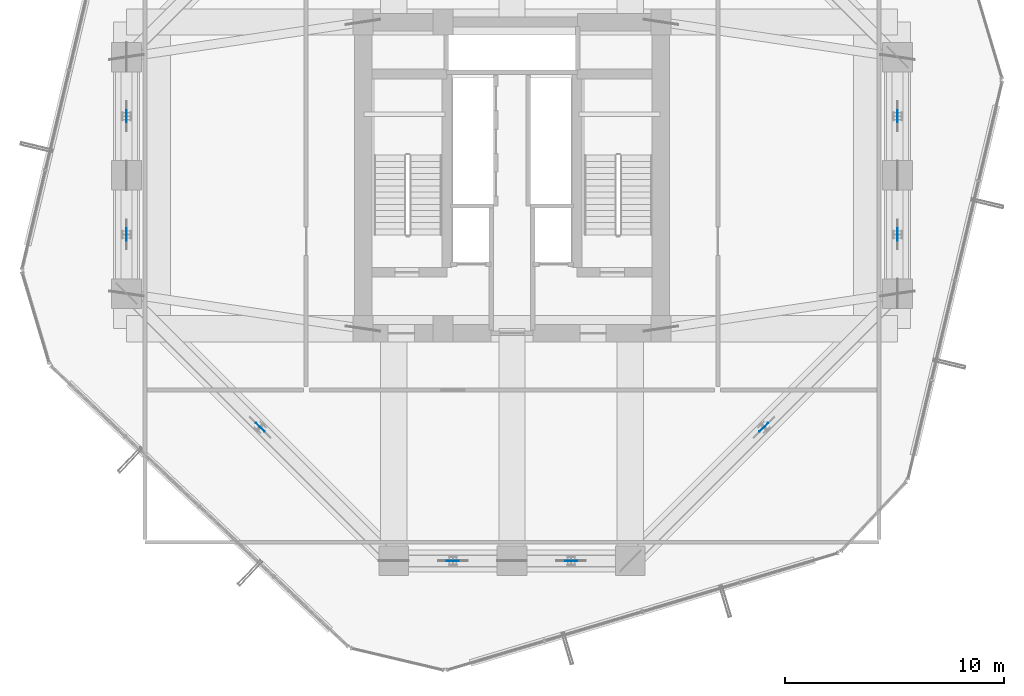
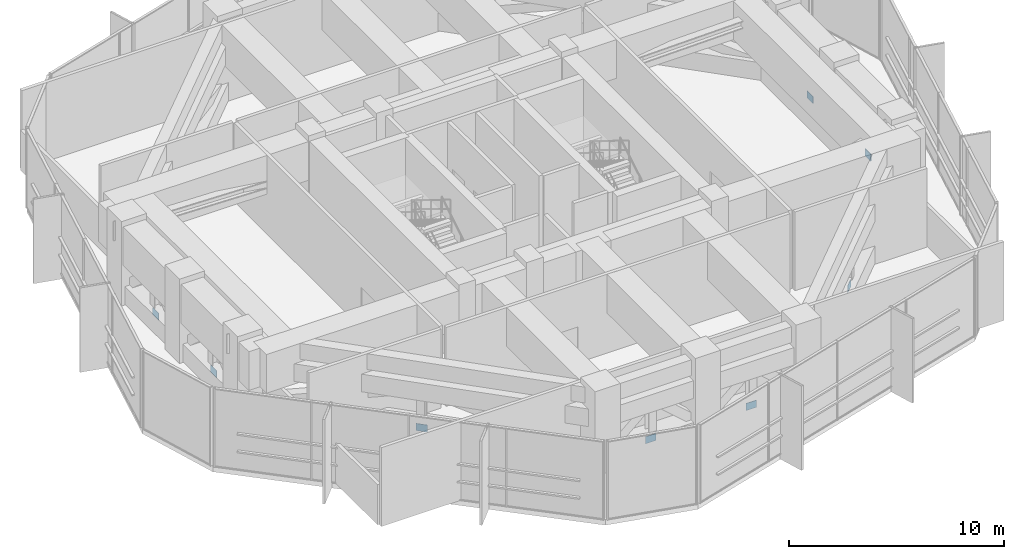
# One storey, part 35 of 41: 8 plates.
"""IFC4 building model written with IfcOpenShell, lengths in metres."""

from ifc_helpers import new_model, si_unit, direction, frame, origin, origin_2d, place, context, subcontext, project, spatial, rectangle, extrude, source, transform, mapped, material, layer, layer_set, type_object, element, save


model = new_model("IFC4")

# Units and contexts
model_context = context("Model", 3, precision=1e-05, world=origin(), true_north=direction((0.0, 1.0)))
body_context = subcontext(model_context, "Body", "Model", "MODEL_VIEW")
ifc_project = project(units=[si_unit("LENGTHUNIT", "METRE"), si_unit("AREAUNIT", "SQUARE_METRE"), si_unit("VOLUMEUNIT", "CUBIC_METRE"), si_unit("PLANEANGLEUNIT", "RADIAN"), si_unit("MASSUNIT", "GRAM", prefix="KILO")], contexts=[model_context])

# Site, building, storey
site_placement = place(None, origin())
site = spatial("IfcSite", under=ifc_project, at=site_placement, CompositionType="ELEMENT")
building_placement = place(site_placement, origin())
building = spatial("IfcBuilding", under=site, at=building_placement, Name="Veraguas Prism Commons", CompositionType="ELEMENT")
storey_placement = place(building_placement, frame((0.0, 0.0, 80.35009765625)))
storey = spatial("IfcBuildingStorey", under=building, at=storey_placement, Name="L22", CompositionType="ELEMENT", Elevation=80.35009765625)

# Plates
ifc_material = material(Name="Steel ASTM A572 Grade 50", Category="steel")
ifc_layer = layer(ifc_material, 0.030029296875, Name="Hollow Brace End Cap Plate 550x400x30", Category="steel")
ifc_layer_set = layer_set([ifc_layer], Name="Steel ASTM A572 Grade 50")
plate_type = type_object("IfcPlateType", Name="Hollow Brace End Cap Plate 550x400x30", PredefinedType="USERDEFINED", material=ifc_layer_set)
shared_shape = source(origin(), body_context, "Body", "SweptSolid", [
    extrude(rectangle(XDim=0.550048828125, YDim=0.030029296875, at=origin_2d()), origin(), (0.0, 0.0, 1.0), 0.39990234375),
])
for number, where, z_axis, x_axis, name in (
    (1, (41.60009765625, 21.300048828125, 0.349853515625), (0.0, 0.0, 1.0), (0.0, 1.0, 0.0), "Hollow Brace End Cap Plate L22-01"),
    (2, (41.60009765625, 26.699951171875, 0.349853515625), (0.0, 0.0, 1.0), (0.0, 1.0, 0.0), "Hollow Brace End Cap Plate L22-02"),
    (3, (6.39990234375, 26.699951171875, 0.349853515625), (0.0, 0.0, 1.0), (0.0, -1.0, 0.0), "Hollow Brace End Cap Plate L22-07"),
    (4, (6.39990234375, 21.300048828125, 0.349853515625), (0.0, 0.0, 1.0), (0.0, -1.0, 0.0), "Hollow Brace End Cap Plate L22-08"),
    (5, (12.5, 12.5, 0.349853515625), (0.0, 0.0, 1.0), (0.707106781187, -0.707106781187, 0.0), "Hollow Brace End Cap Plate L22-09"),
    (6, (21.300048828125, 6.39990234375, 0.349853515625), (0.0, 0.0, 1.0), (1.0, 0.0, 0.0), "Hollow Brace End Cap Plate L22-10"),
    (7, (26.699951171875, 6.39990234375, 0.349853515625), (0.0, 0.0, 1.0), (1.0, 0.0, 0.0), "Hollow Brace End Cap Plate L22-11"),
    (8, (35.5, 12.5, 0.349853515625), (0.0, 0.0, 1.0), (0.707106781187, 0.707106781187, 0.0), "Hollow Brace End Cap Plate L22-12"),
):
    element("IfcPlate", number, at=place(storey_placement, frame(where, z_axis=z_axis, x_axis=x_axis)), inside=storey, type_object=plate_type, Name=name, ObjectType="STIFFENER PLATE", PredefinedType="USERDEFINED", context=body_context, shape_type="MappedRepresentation", body=[
        mapped(shared_shape, transform((0.0, 0.0, 0.0), scale=1.0)),
    ])

save(model, "model.ifc")
